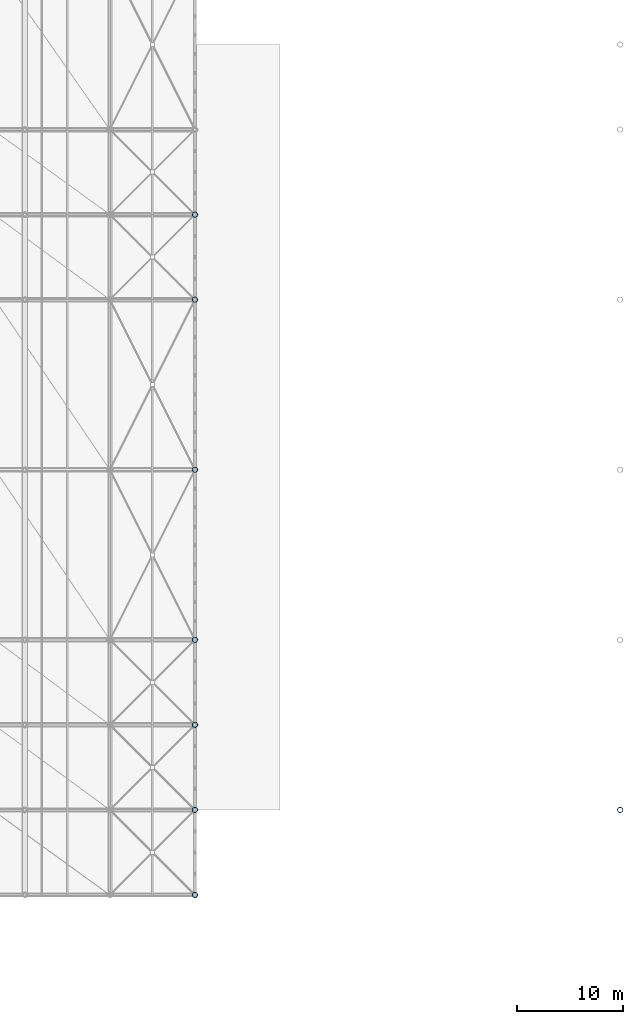
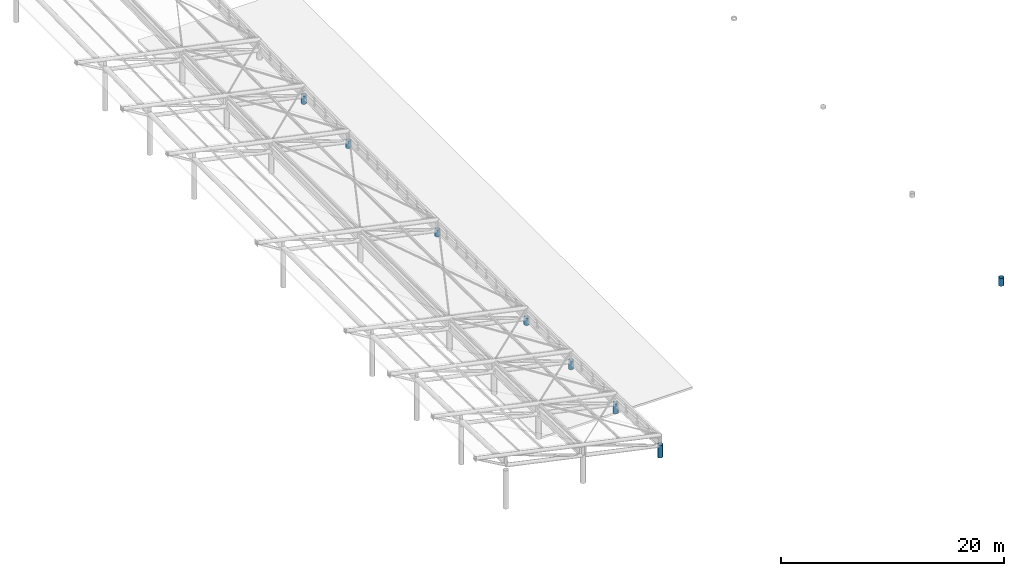
# One storey, part 9 of 41: 8 columns.
"""IFC4 building model written with IfcOpenShell, lengths in metres."""

import ifcopenshell
import ifcopenshell.guid

model = None  # the IFC model being written
_history = None  # IfcOwnerHistory: only IFC2X3 demands one
_inside = {}  # id of a spatial element -> (the spatial element, [elements in it])
_under = {}  # id of a project, library or spatial element -> (it, [spatial elements below it])
_declared = {}  # id of a project -> (the project, [libraries it declares])
_typed = {}  # id of a type object -> (the type object, [elements of that type])
_made_of = {}  # id of a material, layer set ... -> (it, [elements and type objects made of it])


def new_model(schema):
    """Start an empty IFC model of exactly this schema.

    Asked for "IFC4X3", IfcOpenShell would pick the latest addendum, in which some entities
    have other attributes; the version numbers below select the first issue.
    IFC2X3 requires an IfcOwnerHistory on every rooted entity: one is made here for all.
    """
    global model, _history
    if schema == "IFC4X3":
        model = ifcopenshell.file(schema_version=(4, 3, 0, 0))
    else:
        model = ifcopenshell.file(schema=schema)
    _inside.clear()
    _under.clear()
    _declared.clear()
    _typed.clear()
    _made_of.clear()
    _history = None
    if model.schema == "IFC2X3":
        org = make("IfcOrganization", Name="unknown")
        user = make(
            "IfcPersonAndOrganization",
            ThePerson=make("IfcPerson", FamilyName="unknown"),
            TheOrganization=org,
        )
        app = make(
            "IfcApplication",
            ApplicationDeveloper=org,
            Version="unknown",
            ApplicationFullName="unknown",
            ApplicationIdentifier="unknown",
        )
        _history = make(
            "IfcOwnerHistory",
            OwningUser=user,
            OwningApplication=app,
            ChangeAction="ADDED",
            CreationDate=0,
        )
    return model


def make(cls, **values):
    """One entity of the class cls with the attributes given. An attribute that is None is left unset."""
    return model.create_entity(
        cls, **{name: value for name, value in values.items() if value is not None}
    )


def rooted(cls, **values):
    """An entity with a GlobalId (a new one), such as an element, a storey or a relation."""
    return make(cls, GlobalId=ifcopenshell.guid.new(), OwnerHistory=_history, **values)


def si_unit(unit_type, name, prefix=None):
    """IfcSIUnit, for example si_unit("LENGTHUNIT", "METRE", prefix="MILLI")."""
    return make("IfcSIUnit", UnitType=unit_type, Prefix=prefix, Name=name)


def assignment(units):
    """IfcUnitAssignment: the units of a project."""
    return None if units is None else make("IfcUnitAssignment", Units=units)


def point(xyz):
    """IfcCartesianPoint."""
    return None if xyz is None else make("IfcCartesianPoint", Coordinates=xyz)


def direction(xyz):
    """IfcDirection."""
    return None if xyz is None else make("IfcDirection", DirectionRatios=xyz)


def frame(location, z_axis=None, x_axis=None):
    """IfcAxis2Placement3D, a coordinate frame: its origin and axes. An axis left out is left unset."""
    return make(
        "IfcAxis2Placement3D",
        Location=point(location),
        Axis=direction(z_axis),
        RefDirection=direction(x_axis),
    )


def frame_2d(location, x_axis=None):
    """IfcAxis2Placement2D, a coordinate frame in the plane: its origin and x axis."""
    return make(
        "IfcAxis2Placement2D", Location=point(location), RefDirection=direction(x_axis)
    )


def origin():
    """The frame at (0, 0, 0) with its axes left unset."""
    return frame((0.0, 0.0, 0.0))


def origin_2d():
    """The frame at (0, 0) in the plane with its x axis left unset."""
    return frame_2d((0.0, 0.0))


def place(relative_to, where):
    """IfcLocalPlacement: puts the frame where relative to a parent placement (None: the world)."""
    return make(
        "IfcLocalPlacement", PlacementRelTo=relative_to, RelativePlacement=where
    )


def context(
    kind, dimensions, precision=None, world=None, true_north=None, identifier=None
):
    """IfcGeometricRepresentationContext, for example the 3D "Model" context."""
    return make(
        "IfcGeometricRepresentationContext",
        ContextIdentifier=identifier,
        ContextType=kind,
        CoordinateSpaceDimension=dimensions,
        Precision=precision,
        WorldCoordinateSystem=world,
        TrueNorth=true_north,
    )


def subcontext(parent, identifier, kind, view, scale=None):
    """IfcGeometricRepresentationSubContext, for example "Body" below "Model"."""
    return make(
        "IfcGeometricRepresentationSubContext",
        ContextIdentifier=identifier,
        ContextType=kind,
        ParentContext=parent,
        TargetScale=scale,
        TargetView=view,
    )


def project(units=None, contexts=None):
    """IfcProject with its units and contexts."""
    return rooted(
        "IfcProject",
        Name="project",
        RepresentationContexts=contexts,
        UnitsInContext=assignment(units),
    )


def spatial(cls, under=None, at=None, **own):
    """A site, building, storey or space (cls), placed at a placement, below another one or the project."""
    s = rooted(cls, ObjectPlacement=at, **own)
    if under is not None:
        _under.setdefault(under.id(), (under, []))[1].append(s)
    return s


def profile(cls, at=None, kind="AREA", **sizes):
    """A parametric profile (cls). Its sizes go by their IFC names, for example OverallWidth=200.0."""
    return make(cls, ProfileType=kind, Position=at, **sizes)


def hollow_circle(**sizes):
    """IfcCircleHollowProfileDef."""
    return profile("IfcCircleHollowProfileDef", **sizes)


def extrude(swept, where, along, depth):
    """IfcExtrudedAreaSolid: the profile swept, set in the frame where, extruded along a direction by depth."""
    return make(
        "IfcExtrudedAreaSolid",
        SweptArea=swept,
        Position=where,
        ExtrudedDirection=direction(along),
        Depth=depth,
    )


def shape(context_of_items, identifier, shape_type, items):
    """IfcShapeRepresentation: the items that make up one representation, for example the "Body"."""
    return make(
        "IfcShapeRepresentation",
        ContextOfItems=context_of_items,
        RepresentationIdentifier=identifier,
        RepresentationType=shape_type,
        Items=items,
    )


def material(Name=None, Category=None):
    """IfcMaterial."""
    return make("IfcMaterial", Name=Name, Category=Category)


def material_profile(
    of_material, cross_section, Name=None, Category=None, Priority=None
):
    """IfcMaterialProfile: a cross section and its material."""
    return make(
        "IfcMaterialProfile",
        Name=Name,
        Material=of_material,
        Profile=cross_section,
        Priority=Priority,
        Category=Category,
    )


def profile_set(profiles, Name=None, composite=None):
    """IfcMaterialProfileSet."""
    return make(
        "IfcMaterialProfileSet",
        Name=Name,
        MaterialProfiles=profiles,
        CompositeProfile=composite,
    )


def made_of(thing, what):
    """Note that an element or type object is made of a material, layer set ...; save() writes the relation."""
    if what is not None:
        _made_of.setdefault(what.id(), (what, []))[1].append(thing)
    return thing


def type_object(cls, material=None, **own):
    """A type object (cls), such as IfcWallType, which elements share."""
    return made_of(rooted(cls, **own), material)


def element(
    cls,
    number,
    at=None,
    inside=None,
    cuts=None,
    type_object=None,
    material=None,
    context=None,
    identifier="Body",
    shape_type=None,
    held_by="IfcProductDefinitionShape",
    body=None,
    shapes=None,
    **own,
):
    """One element of the class cls, such as IfcWall. Its Tag is "e" and its number.

    at: its placement. inside: the storey or other place that contains it. cuts: it is an
    opening in that element (IfcRelVoidsElement). A single representation is given by context,
    identifier, shape_type and body (its items); several are given by shapes. held_by: the class
    of the entity that holds the representations. save() writes the other relations.
    """
    e = rooted(cls, Tag="e%d" % number, ObjectPlacement=at, **own)
    if body is not None:
        shapes = [shape(context, identifier, shape_type, body)]
    if shapes is not None:
        e.Representation = make(held_by, Representations=shapes)
    if inside is not None:
        _inside.setdefault(inside.id(), (inside, []))[1].append(e)
    if cuts is not None:
        rooted(
            "IfcRelVoidsElement", RelatingBuildingElement=cuts, RelatedOpeningElement=e
        )
    if type_object is not None:
        _typed.setdefault(type_object.id(), (type_object, []))[1].append(e)
    return made_of(e, material)


def aggregate(whole, parts):
    """IfcRelAggregates: a whole, such as a stair, and the parts it consists of."""
    return rooted("IfcRelAggregates", RelatingObject=whole, RelatedObjects=parts)


def save(model, path):
    """Write the relations noted so far, then the file.

    IfcRelAggregates (storeys below a building ...), IfcRelContainedInSpatialStructure (elements
    in a storey), IfcRelDefinesByType, IfcRelAssociatesMaterial and IfcRelDeclares: one each for
    every whole, place, type object, material and project.
    """
    for whole, parts in _under.values():
        aggregate(whole, parts)
    for where, things in _inside.values():
        rooted(
            "IfcRelContainedInSpatialStructure",
            RelatedElements=things,
            RelatingStructure=where,
        )
    for kind, things in _typed.values():
        rooted("IfcRelDefinesByType", RelatedObjects=things, RelatingType=kind)
    for what, things in _made_of.values():
        rooted("IfcRelAssociatesMaterial", RelatedObjects=things, RelatingMaterial=what)
    for by, libraries in _declared.values():
        rooted("IfcRelDeclares", RelatingContext=by, RelatedDefinitions=libraries)
    model.write(path)


model = new_model("IFC4")

# Units and contexts
model_context = context("Model", 3, precision=1e-05, world=origin(), true_north=direction((0.0, 1.0)))
body_context = subcontext(model_context, "Body", "Model", "MODEL_VIEW")
ifc_project = project(units=[si_unit("LENGTHUNIT", "METRE"), si_unit("AREAUNIT", "SQUARE_METRE"), si_unit("VOLUMEUNIT", "CUBIC_METRE"), si_unit("PLANEANGLEUNIT", "RADIAN"), si_unit("MASSUNIT", "GRAM", prefix="KILO")], contexts=[model_context])

# Site, building, storey
site_placement = place(None, origin())
site = spatial("IfcSite", under=ifc_project, at=site_placement, CompositionType="ELEMENT")
building_placement = place(site_placement, origin())
building = spatial("IfcBuilding", under=site, at=building_placement, Name="Haebicheon Civic Stadium", CompositionType="ELEMENT")
storey_placement = place(building_placement, frame((0.0, 0.0, 27.0)))
storey = spatial("IfcBuildingStorey", under=building, at=storey_placement, Name="L07", CompositionType="ELEMENT", Elevation=27.0)

# Columns
ifc_material = material(Name="White painted steel SM490", Category="steel")
ifc_material_profile = material_profile(ifc_material, hollow_circle(Radius=0.25390625, WallThickness=0.02490234375, at=origin_2d()), Name="CHS-508.0x25.0")
ifc_profile_set = profile_set([ifc_material_profile], Name="White painted steel SM490")
column_type = type_object("IfcColumnType", Name="COL-ST-CHS508", PredefinedType="COLUMN", material=ifc_profile_set)
column_1_placement = place(storey_placement, frame((152.0, 48.0, 0.0), z_axis=(0.0, 0.0, 1.0), x_axis=(1.0, 0.0, 0.0)))
element("IfcColumn", 1, at=column_1_placement, inside=storey, type_object=column_type, material=ifc_profile_set, Name="Bowl/canopy support column 152/48 (L07)", PredefinedType="COLUMN", context=body_context, shape_type="SweptSolid", body=[
    extrude(hollow_circle(Radius=0.25390625, WallThickness=0.02490234375, at=origin_2d()), origin(), (0.0, 0.0, 1.0), 1.386962890625),
])
column_2_placement = place(storey_placement, frame((152.0, 56.0, 0.0), z_axis=(0.0, 0.0, 1.0), x_axis=(1.0, 0.0, 0.0)))
element("IfcColumn", 2, at=column_2_placement, inside=storey, type_object=column_type, material=ifc_profile_set, Name="Bowl/canopy support column 152/56 (L07)", PredefinedType="COLUMN", context=body_context, shape_type="SweptSolid", body=[
    extrude(hollow_circle(Radius=0.25390625, WallThickness=0.02490234375, at=origin_2d()), origin(), (0.0, 0.0, 1.0), 1.097900390625),
])
column_3_placement = place(storey_placement, frame((152.0, 64.0, 0.0), z_axis=(0.0, 0.0, 1.0), x_axis=(1.0, 0.0, 0.0)))
element("IfcColumn", 3, at=column_3_placement, inside=storey, type_object=column_type, material=ifc_profile_set, Name="Bowl/canopy support column 152/64 (L07)", PredefinedType="COLUMN", context=body_context, shape_type="SweptSolid", body=[
    extrude(hollow_circle(Radius=0.25390625, WallThickness=0.02490234375, at=origin_2d()), origin(), (0.0, 0.0, 1.0), 0.89208984375),
])
column_4_placement = place(storey_placement, frame((152.0, 72.0, 0.0), z_axis=(0.0, 0.0, 1.0), x_axis=(1.0, 0.0, 0.0)))
element("IfcColumn", 4, at=column_4_placement, inside=storey, type_object=column_type, material=ifc_profile_set, Name="Bowl/canopy support column 152/72 (L07)", PredefinedType="COLUMN", context=body_context, shape_type="SweptSolid", body=[
    extrude(hollow_circle(Radius=0.25390625, WallThickness=0.02490234375, at=origin_2d()), origin(), (0.0, 0.0, 1.0), 0.76806640625),
])
column_5_placement = place(storey_placement, frame((152.0, 88.0, 0.0), z_axis=(0.0, 0.0, 1.0), x_axis=(1.0, 0.0, 0.0)))
element("IfcColumn", 5, at=column_5_placement, inside=storey, type_object=column_type, material=ifc_profile_set, Name="Bowl/canopy support column 152/88 (L07)", PredefinedType="COLUMN", context=body_context, shape_type="SweptSolid", body=[
    extrude(hollow_circle(Radius=0.25390625, WallThickness=0.02490234375, at=origin_2d()), origin(), (0.0, 0.0, 1.0), 0.72705078125),
])
column_6_placement = place(storey_placement, frame((152.0, 104.0, 0.0), z_axis=(0.0, 0.0, 1.0), x_axis=(1.0, 0.0, 0.0)))
element("IfcColumn", 6, at=column_6_placement, inside=storey, type_object=column_type, material=ifc_profile_set, Name="Bowl/canopy support column 152/104 (L07)", PredefinedType="COLUMN", context=body_context, shape_type="SweptSolid", body=[
    extrude(hollow_circle(Radius=0.25390625, WallThickness=0.02490234375, at=origin_2d()), origin(), (0.0, 0.0, 1.0), 0.76806640625),
])
column_7_placement = place(storey_placement, frame((152.0, 112.0, 0.0), z_axis=(0.0, 0.0, 1.0), x_axis=(1.0, 0.0, 0.0)))
element("IfcColumn", 7, at=column_7_placement, inside=storey, type_object=column_type, material=ifc_profile_set, Name="Bowl/canopy support column 152/112 (L07)", PredefinedType="COLUMN", context=body_context, shape_type="SweptSolid", body=[
    extrude(hollow_circle(Radius=0.25390625, WallThickness=0.02490234375, at=origin_2d()), origin(), (0.0, 0.0, 1.0), 0.89208984375),
])
column_8_placement = place(storey_placement, frame((192.0, 56.0, 0.0), z_axis=(0.0, 0.0, 1.0), x_axis=(1.0, 0.0, 0.0)))
element("IfcColumn", 8, at=column_8_placement, inside=storey, type_object=column_type, material=ifc_profile_set, Name="Bowl/canopy support column 192/56 (L07)", PredefinedType="COLUMN", context=body_context, shape_type="SweptSolid", body=[
    extrude(hollow_circle(Radius=0.25390625, WallThickness=0.02490234375, at=origin_2d()), origin(), (0.0, 0.0, 1.0), 0.85205078125),
])

save(model, "model.ifc")
